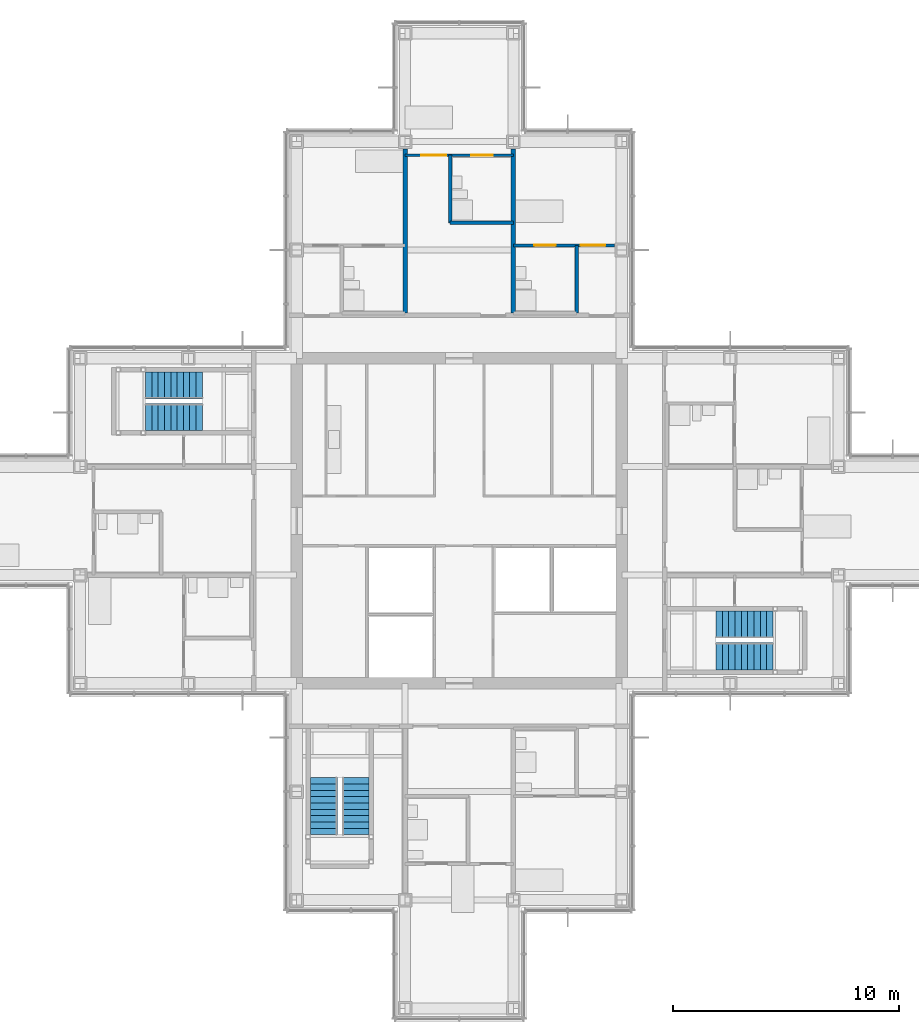
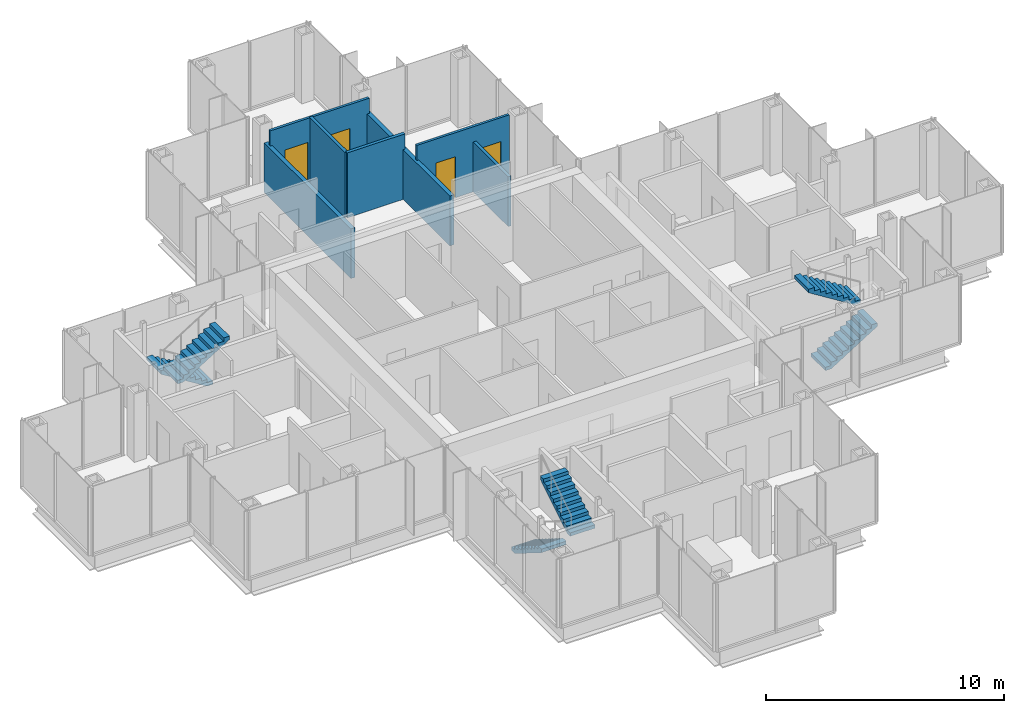
# One storey, part 14 of 17: 7 walls, 6 stair flights, 4 doors, 4 openings, 3 elements without a shape of their own.
"""IFC4 building model written with IfcOpenShell, lengths in metres."""

from ifc_helpers import new_model, si_unit, direction, frame, frame_2d, origin, place, context, subcontext, project, spatial, polyline, rectangle, outline, extrude, material, layer, layer_set, type_object, element, fill, aggregate, save


model = new_model("IFC4")

# Units and contexts
model_context = context("Model", 3, precision=1e-05, world=origin(), true_north=direction((0.0, 1.0)))
body_context = subcontext(model_context, "Body", "Model", "MODEL_VIEW")
ifc_project = project(units=[si_unit("LENGTHUNIT", "METRE"), si_unit("AREAUNIT", "SQUARE_METRE"), si_unit("VOLUMEUNIT", "CUBIC_METRE"), si_unit("PLANEANGLEUNIT", "RADIAN"), si_unit("MASSUNIT", "GRAM", prefix="KILO")], contexts=[model_context])

# Site, building, storey
site_placement = place(None, origin())
site = spatial("IfcSite", under=ifc_project, at=site_placement, CompositionType="ELEMENT")
building_placement = place(site_placement, origin())
building = spatial("IfcBuilding", under=site, at=building_placement, Name="Kvirike Care Tower", CompositionType="ELEMENT")
storey_placement = place(building_placement, frame((0.0, 0.0, 179.5)))
storey = spatial("IfcBuildingStorey", under=building, at=storey_placement, Name="L49", CompositionType="ELEMENT", Elevation=179.5)

# Walls
ifc_material_1 = material(Name="Moisture-resistant board partition", Category="gypsum")
ifc_layer_1 = layer(ifc_material_1, 0.14990234375)
ifc_layer_set_1 = layer_set([ifc_layer_1], Name="BATHROOM WALL 150")
wall_type_1 = type_object("IfcWallType", Name="BATHROOM WALL 150", PredefinedType="PARTITIONING", material=ifc_layer_set_1)
wall_1_placement = place(storey_placement, frame((26.800048828125, 48.199951171875, 0.0), z_axis=(0.0, 0.0, 1.0), x_axis=(0.0, -1.0, 0.0)))
element("IfcWall", 1, at=wall_1_placement, inside=storey, type_object=wall_type_1, Name="Bathroom Wall 150 L49", PredefinedType="PARTITIONING", context=body_context, shape_type="SweptSolid", body=[
    extrude(rectangle(XDim=3.0, YDim=0.14990234375, at=frame_2d((1.5, 0.0))), origin(), (0.0, 0.0, 1.0), 2.550048828125),
])
wall_2_placement = place(storey_placement, frame((21.199951171875, 52.199951171875, 0.0), z_axis=(0.0, 0.0, 1.0), x_axis=(0.0, -1.0, 0.0)))
element("IfcWall", 2, at=wall_2_placement, inside=storey, type_object=wall_type_1, Name="Bathroom Wall 150 L49", PredefinedType="PARTITIONING", context=body_context, shape_type="SweptSolid", body=[
    extrude(rectangle(XDim=3.0, YDim=0.14990234375, at=frame_2d((1.5, 0.0))), origin(), (0.0, 0.0, 1.0), 3.330078125),
])
wall_3_placement = place(storey_placement, frame((24.0, 49.199951171875, 0.0), z_axis=(0.0, 0.0, 1.0), x_axis=(-1.0, 0.0, 0.0)))
element("IfcWall", 3, at=wall_3_placement, inside=storey, type_object=wall_type_1, Name="Bathroom Wall 150 L49", PredefinedType="PARTITIONING", context=body_context, shape_type="SweptSolid", body=[
    extrude(rectangle(XDim=2.800048828125, YDim=0.14990234375, at=frame_2d((1.39990234375, 0.0))), origin(), (0.0, 0.0, 1.0), 3.330078125),
])

# Wall, openings, doors
ifc_material_2 = material(Name="Plasterboard partition", Category="gypsum")
ifc_layer_2 = layer(ifc_material_2, 0.1201171875)
ifc_layer_set_2 = layer_set([ifc_layer_2], Name="PARTITION 120")
wall_type_2 = type_object("IfcWallType", Name="PARTITION 120", PredefinedType="PARTITIONING", material=ifc_layer_set_2)
wall_4_placement = place(storey_placement, frame((28.47998046875, 48.199951171875, 0.0), z_axis=(0.0, 0.0, 1.0), x_axis=(-1.0, 0.0, 0.0)))
wall_4 = element("IfcWall", 4, at=wall_4_placement, inside=storey, type_object=wall_type_2, Name="Partition 120 L49", PredefinedType="PARTITIONING", context=body_context, shape_type="SweptSolid", body=[
    extrude(rectangle(XDim=4.47998046875, YDim=0.1201171875, at=frame_2d((2.239990234375, 0.0))), origin(), (0.0, 0.0, 1.0), 3.330078125),
])
opening_1_placement = place(wall_4_placement, frame((0.405029296875, 0.0, 0.0)))
opening_1 = element("IfcOpeningElement", 5, at=opening_1_placement, cuts=wall_4, Name="Opening 49-018", PredefinedType="OPENING", context=body_context, shape_type="SweptSolid", body=[
    extrude(rectangle(XDim=1.10009765625, YDim=2.10009765625, at=frame_2d((0.550048828125, 1.050048828125))), frame((0.0, 0.070556640625, 0.0), z_axis=(0.0, -1.0, 0.0), x_axis=(1.0, 0.0, 0.0)), (0.0, 0.0, 1.0), 0.14111328125),
])
opening_2_placement = place(wall_4_placement, frame((2.60498046875, 0.0, 0.0)))
opening_2 = element("IfcOpeningElement", 6, at=opening_2_placement, cuts=wall_4, Name="Opening 49-019", PredefinedType="OPENING", context=body_context, shape_type="SweptSolid", body=[
    extrude(rectangle(XDim=0.949951171875, YDim=2.10009765625, at=frame_2d((0.47509765625, 1.050048828125))), frame((0.0, 0.070556640625, 0.0), z_axis=(0.0, -1.0, 0.0), x_axis=(1.0, 0.0, 0.0)), (0.0, 0.0, 1.0), 0.14111328125),
])
ifc_material_3 = material(Name="Timber door set", Category="wood")
door_type_1 = type_object("IfcDoorType", Name="BEDROOM DOOR 1100", OperationType="SINGLE_SWING_LEFT", PredefinedType="DOOR", material=ifc_material_3)
door_1_placement = place(opening_1_placement, origin())
door_1 = element("IfcDoor", 7, at=door_1_placement, inside=storey, type_object=door_type_1, Name="Memory care bedroom door", OperationType="SINGLE_SWING_LEFT", OverallHeight=2.10009765625, OverallWidth=1.10009765625, PredefinedType="DOOR", context=body_context, shape_type="SweptSolid", body=[
    extrude(rectangle(XDim=1.10009765625, YDim=2.10009765625, at=frame_2d((0.550048828125, 1.050048828125))), frame((0.0, 0.02197265625, 0.0), z_axis=(0.0, -1.0, 0.0), x_axis=(1.0, 0.0, 0.0)), (0.0, 0.0, 1.0), 0.0439453125),
])
fill(opening_1, door_1)
ifc_material_4 = material(Name="Timber door set", Category="wood")
door_type_2 = type_object("IfcDoorType", Name="EN-SUITE SLIDING DOOR 950", OperationType="SLIDING_TO_LEFT", PredefinedType="DOOR", material=ifc_material_4)
door_2_placement = place(opening_2_placement, origin())
door_2 = element("IfcDoor", 8, at=door_2_placement, inside=storey, type_object=door_type_2, Name="En-suite door", OperationType="SLIDING_TO_LEFT", OverallHeight=2.10009765625, OverallWidth=0.949951171875, PredefinedType="DOOR", context=body_context, shape_type="SweptSolid", body=[
    extrude(rectangle(XDim=0.949951171875, YDim=2.10009765625, at=frame_2d((0.47509765625, 1.050048828125))), frame((0.0, 0.02197265625, 0.0), z_axis=(0.0, -1.0, 0.0), x_axis=(1.0, 0.0, 0.0)), (0.0, 0.0, 1.0), 0.0439453125),
])
fill(opening_2, door_2)

wall_5_placement = place(storey_placement, frame((24.0, 52.199951171875, 0.0), z_axis=(0.0, 0.0, 1.0), x_axis=(-1.0, 0.0, 0.0)))
wall_5 = element("IfcWall", 9, at=wall_5_placement, inside=storey, type_object=wall_type_2, Name="Partition 120 L49", PredefinedType="PARTITIONING", context=body_context, shape_type="SweptSolid", body=[
    extrude(rectangle(XDim=4.800048828125, YDim=0.1201171875, at=frame_2d((2.39990234375, 0.0))), origin(), (0.0, 0.0, 1.0), 3.330078125),
])
opening_3_placement = place(wall_5_placement, frame((2.97509765625, 0.0, 0.0)))
opening_3 = element("IfcOpeningElement", 10, at=opening_3_placement, cuts=wall_5, Name="Opening 49-020", PredefinedType="OPENING", context=body_context, shape_type="SweptSolid", body=[
    extrude(rectangle(XDim=1.10009765625, YDim=2.10009765625, at=frame_2d((0.550048828125, 1.050048828125))), frame((0.0, 0.070556640625, 0.0), z_axis=(0.0, -1.0, 0.0), x_axis=(1.0, 0.0, 0.0)), (0.0, 0.0, 1.0), 0.14111328125),
])
opening_4_placement = place(wall_5_placement, frame((0.925048828125, 0.0, 0.0)))
opening_4 = element("IfcOpeningElement", 11, at=opening_4_placement, cuts=wall_5, Name="Opening 49-021", PredefinedType="OPENING", context=body_context, shape_type="SweptSolid", body=[
    extrude(rectangle(XDim=0.949951171875, YDim=2.10009765625, at=frame_2d((0.47509765625, 1.050048828125))), frame((0.0, 0.070556640625, 0.0), z_axis=(0.0, -1.0, 0.0), x_axis=(1.0, 0.0, 0.0)), (0.0, 0.0, 1.0), 0.14111328125),
])
door_3_placement = place(opening_3_placement, origin())
door_3 = element("IfcDoor", 12, at=door_3_placement, inside=storey, type_object=door_type_1, Name="Memory care bedroom door", OperationType="SINGLE_SWING_RIGHT", OverallHeight=2.10009765625, OverallWidth=1.10009765625, PredefinedType="DOOR", context=body_context, shape_type="SweptSolid", body=[
    extrude(rectangle(XDim=1.10009765625, YDim=2.10009765625, at=frame_2d((0.550048828125, 1.050048828125))), frame((0.0, 0.02197265625, 0.0), z_axis=(0.0, -1.0, 0.0), x_axis=(1.0, 0.0, 0.0)), (0.0, 0.0, 1.0), 0.0439453125),
])
fill(opening_3, door_3)
door_4_placement = place(opening_4_placement, origin())
door_4 = element("IfcDoor", 13, at=door_4_placement, inside=storey, type_object=door_type_2, Name="En-suite door", OperationType="SLIDING_TO_RIGHT", OverallHeight=2.10009765625, OverallWidth=0.949951171875, PredefinedType="DOOR", context=body_context, shape_type="SweptSolid", body=[
    extrude(rectangle(XDim=0.949951171875, YDim=2.10009765625, at=frame_2d((0.47509765625, 1.050048828125))), frame((0.0, 0.02197265625, 0.0), z_axis=(0.0, -1.0, 0.0), x_axis=(1.0, 0.0, 0.0)), (0.0, 0.0, 1.0), 0.0439453125),
])
fill(opening_4, door_4)

# Walls
ifc_material_5 = material(Name="Plasterboard party wall", Category="gypsum")
ifc_layer_3 = layer(ifc_material_5, 0.199951171875)
ifc_layer_set_3 = layer_set([ifc_layer_3], Name="PARTY WALL 200")
wall_type_3 = type_object("IfcWallType", Name="PARTY WALL 200", PredefinedType="PARTITIONING", material=ifc_layer_set_3)
for number, where, z_axis, x_axis, name in (
    (14, (24.0, 52.47998046875, 0.0), (0.0, 0.0, 1.0), (0.0, -1.0, 0.0), "Party Wall 200 L49"),
    (15, (19.199951171875, 52.47998046875, 0.0), (0.0, 0.0, 1.0), (0.0, -1.0, 0.0), "Party Wall 200 L49"),
):
    element("IfcWall", number, at=place(storey_placement, frame(where, z_axis=z_axis, x_axis=x_axis)), inside=storey, type_object=wall_type_3, Name=name, PredefinedType="PARTITIONING", context=body_context, shape_type="SweptSolid", body=[
        extrude(rectangle(XDim=7.280029296875, YDim=0.199951171875, at=frame_2d((3.64013671875, 0.0))), origin(), (0.0, 0.0, 1.0), 2.550048828125),
    ])

# Stair, stair flights
ifc_material_6 = material(Name="Concrete C35/45", Category="concrete")
stair_type = type_object("IfcStairType", Name="STAIR 20 RISERS", PredefinedType="HALF_TURN_STAIR", material=ifc_material_6)
stair_1_placement = place(storey_placement, origin())
stair_1 = element("IfcStair", 16, at=stair_1_placement, inside=storey, type_object=stair_type, Name="Stair 1 L49", PredefinedType="HALF_TURN_STAIR")
ifc_material_7 = material(Name="Concrete C35/45", Category="concrete")
stair_flight_type = type_object("IfcStairFlightType", Name="FLIGHT 10 RISERS", PredefinedType="STRAIGHT", material=ifc_material_7)
stair_flight_1_placement = place(storey_placement, frame((10.219970703125, 42.0, 0.0), z_axis=(0.0, 0.0, 1.0), x_axis=(-1.0, 0.0, 0.0)))
stair_flight_1 = element("IfcStairFlight", 17, at=stair_flight_1_placement, type_object=stair_flight_type, Name="Stair S1 flight 1 L49-L50", NumberOfRisers=10, NumberOfTreads=9, PredefinedType="STRAIGHT", RiserHeight=0.175, TreadLength=0.28, context=body_context, shape_type="SweptSolid", body=[
    extrude(outline(polyline([(0.0, 0.0), (0.0, 0.175048828125), (0.280029296875, 0.175048828125), (0.280029296875, 0.35009765625), (0.56005859375, 0.35009765625), (0.56005859375, 0.52490234375), (0.840087890625, 0.52490234375), (0.840087890625, 0.699951171875), (1.1201171875, 0.699951171875), (1.1201171875, 0.875), (1.39990234375, 0.875), (1.39990234375, 1.050048828125), (1.679931640625, 1.050048828125), (1.679931640625, 1.22509765625), (1.9599609375, 1.22509765625), (1.9599609375, 1.39990234375), (2.239990234375, 1.39990234375), (2.239990234375, 1.574951171875), (2.52001953125, 1.574951171875), (2.52001953125, 1.75), (2.52001953125, 1.398193359375), (0.28271484375, 0.0), (0.0, 0.0)])), frame((0.0, 0.60009765625, 0.0), z_axis=(0.0, -1.0, 0.0), x_axis=(1.0, 0.0, 0.0)), (0.0, 0.0, 1.0), 1.199951171875),
])
stair_flight_2_placement = place(storey_placement, frame((7.699951171875, 40.60009765625, 1.75), z_axis=(0.0, 0.0, 1.0), x_axis=(1.0, 0.0, 0.0)))
stair_flight_2 = element("IfcStairFlight", 18, at=stair_flight_2_placement, type_object=stair_flight_type, Name="Stair S1 flight 2 L49-L50", NumberOfRisers=10, NumberOfTreads=9, PredefinedType="STRAIGHT", RiserHeight=0.175, TreadLength=0.28, context=body_context, shape_type="SweptSolid", body=[
    extrude(outline(polyline([(0.0, 0.0), (0.0, 0.175048828125), (0.280029296875, 0.175048828125), (0.280029296875, 0.35009765625), (0.56005859375, 0.35009765625), (0.56005859375, 0.52490234375), (0.840087890625, 0.52490234375), (0.840087890625, 0.699951171875), (1.1201171875, 0.699951171875), (1.1201171875, 0.875), (1.39990234375, 0.875), (1.39990234375, 1.050048828125), (1.679931640625, 1.050048828125), (1.679931640625, 1.22509765625), (1.9599609375, 1.22509765625), (1.9599609375, 1.39990234375), (2.239990234375, 1.39990234375), (2.239990234375, 1.574951171875), (2.52001953125, 1.574951171875), (2.52001953125, 1.75), (2.52001953125, 1.398193359375), (0.28271484375, 0.0), (0.0, 0.0)])), frame((0.0, 0.60009765625, 0.0), z_axis=(0.0, -1.0, 0.0), x_axis=(1.0, 0.0, 0.0)), (0.0, 0.0, 1.0), 1.199951171875),
])
aggregate(stair_1, [stair_flight_1, stair_flight_2])

stair_2_placement = place(storey_placement, origin())
stair_2 = element("IfcStair", 19, at=stair_2_placement, inside=storey, type_object=stair_type, Name="Stair 2 L49", PredefinedType="HALF_TURN_STAIR")
stair_flight_3_placement = place(storey_placement, frame((32.97998046875, 30.0, 0.0), z_axis=(0.0, 0.0, 1.0), x_axis=(1.0, 0.0, 0.0)))
stair_flight_3 = element("IfcStairFlight", 20, at=stair_flight_3_placement, type_object=stair_flight_type, Name="Stair S2 flight 1 L49-L50", NumberOfRisers=10, NumberOfTreads=9, PredefinedType="STRAIGHT", RiserHeight=0.175, TreadLength=0.28, context=body_context, shape_type="SweptSolid", body=[
    extrude(outline(polyline([(0.0, 0.0), (0.0, 0.175048828125), (0.280029296875, 0.175048828125), (0.280029296875, 0.35009765625), (0.56005859375, 0.35009765625), (0.56005859375, 0.52490234375), (0.840087890625, 0.52490234375), (0.840087890625, 0.699951171875), (1.1201171875, 0.699951171875), (1.1201171875, 0.875), (1.39990234375, 0.875), (1.39990234375, 1.050048828125), (1.679931640625, 1.050048828125), (1.679931640625, 1.22509765625), (1.9599609375, 1.22509765625), (1.9599609375, 1.39990234375), (2.239990234375, 1.39990234375), (2.239990234375, 1.574951171875), (2.52001953125, 1.574951171875), (2.52001953125, 1.75), (2.52001953125, 1.398193359375), (0.28271484375, 0.0), (0.0, 0.0)])), frame((0.0, 0.60009765625, 0.0), z_axis=(0.0, -1.0, 0.0), x_axis=(1.0, 0.0, 0.0)), (0.0, 0.0, 1.0), 1.199951171875),
])
stair_flight_4_placement = place(storey_placement, frame((35.5, 31.39990234375, 1.75), z_axis=(0.0, 0.0, 1.0), x_axis=(-1.0, 0.0, 0.0)))
stair_flight_4 = element("IfcStairFlight", 21, at=stair_flight_4_placement, type_object=stair_flight_type, Name="Stair S2 flight 2 L49-L50", NumberOfRisers=10, NumberOfTreads=9, PredefinedType="STRAIGHT", RiserHeight=0.175, TreadLength=0.28, context=body_context, shape_type="SweptSolid", body=[
    extrude(outline(polyline([(0.0, 0.0), (0.0, 0.175048828125), (0.280029296875, 0.175048828125), (0.280029296875, 0.35009765625), (0.56005859375, 0.35009765625), (0.56005859375, 0.52490234375), (0.840087890625, 0.52490234375), (0.840087890625, 0.699951171875), (1.1201171875, 0.699951171875), (1.1201171875, 0.875), (1.39990234375, 0.875), (1.39990234375, 1.050048828125), (1.679931640625, 1.050048828125), (1.679931640625, 1.22509765625), (1.9599609375, 1.22509765625), (1.9599609375, 1.39990234375), (2.239990234375, 1.39990234375), (2.239990234375, 1.574951171875), (2.52001953125, 1.574951171875), (2.52001953125, 1.75), (2.52001953125, 1.398193359375), (0.28271484375, 0.0), (0.0, 0.0)])), frame((0.0, 0.60009765625, 0.0), z_axis=(0.0, -1.0, 0.0), x_axis=(1.0, 0.0, 0.0)), (0.0, 0.0, 1.0), 1.199951171875),
])
aggregate(stair_2, [stair_flight_3, stair_flight_4])

stair_3_placement = place(storey_placement, origin())
stair_3 = element("IfcStair", 22, at=stair_3_placement, inside=storey, type_object=stair_type, Name="Stair 5 L49", PredefinedType="HALF_TURN_STAIR")
stair_flight_5_placement = place(storey_placement, frame((15.60009765625, 24.6201171875, 0.0), z_axis=(0.0, 0.0, 1.0), x_axis=(0.0, -1.0, 0.0)))
stair_flight_5 = element("IfcStairFlight", 23, at=stair_flight_5_placement, type_object=stair_flight_type, Name="Stair S5 flight 1 L49-L50", NumberOfRisers=10, NumberOfTreads=9, PredefinedType="STRAIGHT", RiserHeight=0.175, TreadLength=0.28, context=body_context, shape_type="SweptSolid", body=[
    extrude(outline(polyline([(0.0, 0.0), (0.0, 0.175048828125), (0.280029296875, 0.175048828125), (0.280029296875, 0.35009765625), (0.56005859375, 0.35009765625), (0.56005859375, 0.52490234375), (0.840087890625, 0.52490234375), (0.840087890625, 0.699951171875), (1.1201171875, 0.699951171875), (1.1201171875, 0.875), (1.39990234375, 0.875), (1.39990234375, 1.050048828125), (1.679931640625, 1.050048828125), (1.679931640625, 1.22509765625), (1.9599609375, 1.22509765625), (1.9599609375, 1.39990234375), (2.239990234375, 1.39990234375), (2.239990234375, 1.574951171875), (2.52001953125, 1.574951171875), (2.52001953125, 1.75), (2.52001953125, 1.398193359375), (0.28271484375, 0.0), (0.0, 0.0)])), frame((0.0, 0.60009765625, 0.0), z_axis=(0.0, -1.0, 0.0), x_axis=(1.0, 0.0, 0.0)), (0.0, 0.0, 1.0), 1.199951171875),
])
stair_flight_6_placement = place(storey_placement, frame((17.0, 22.10009765625, 1.75), z_axis=(0.0, 0.0, 1.0), x_axis=(0.0, 1.0, 0.0)))
stair_flight_6 = element("IfcStairFlight", 24, at=stair_flight_6_placement, type_object=stair_flight_type, Name="Stair S5 flight 2 L49-L50", NumberOfRisers=10, NumberOfTreads=9, PredefinedType="STRAIGHT", RiserHeight=0.175, TreadLength=0.28, context=body_context, shape_type="SweptSolid", body=[
    extrude(outline(polyline([(0.0, 0.0), (0.0, 0.175048828125), (0.280029296875, 0.175048828125), (0.280029296875, 0.35009765625), (0.56005859375, 0.35009765625), (0.56005859375, 0.52490234375), (0.840087890625, 0.52490234375), (0.840087890625, 0.699951171875), (1.1201171875, 0.699951171875), (1.1201171875, 0.875), (1.39990234375, 0.875), (1.39990234375, 1.050048828125), (1.679931640625, 1.050048828125), (1.679931640625, 1.22509765625), (1.9599609375, 1.22509765625), (1.9599609375, 1.39990234375), (2.239990234375, 1.39990234375), (2.239990234375, 1.574951171875), (2.52001953125, 1.574951171875), (2.52001953125, 1.75), (2.52001953125, 1.398193359375), (0.28271484375, 0.0), (0.0, 0.0)])), frame((0.0, 0.60009765625, 0.0), z_axis=(0.0, -1.0, 0.0), x_axis=(1.0, 0.0, 0.0)), (0.0, 0.0, 1.0), 1.199951171875),
])
aggregate(stair_3, [stair_flight_5, stair_flight_6])

save(model, "model.ifc")
